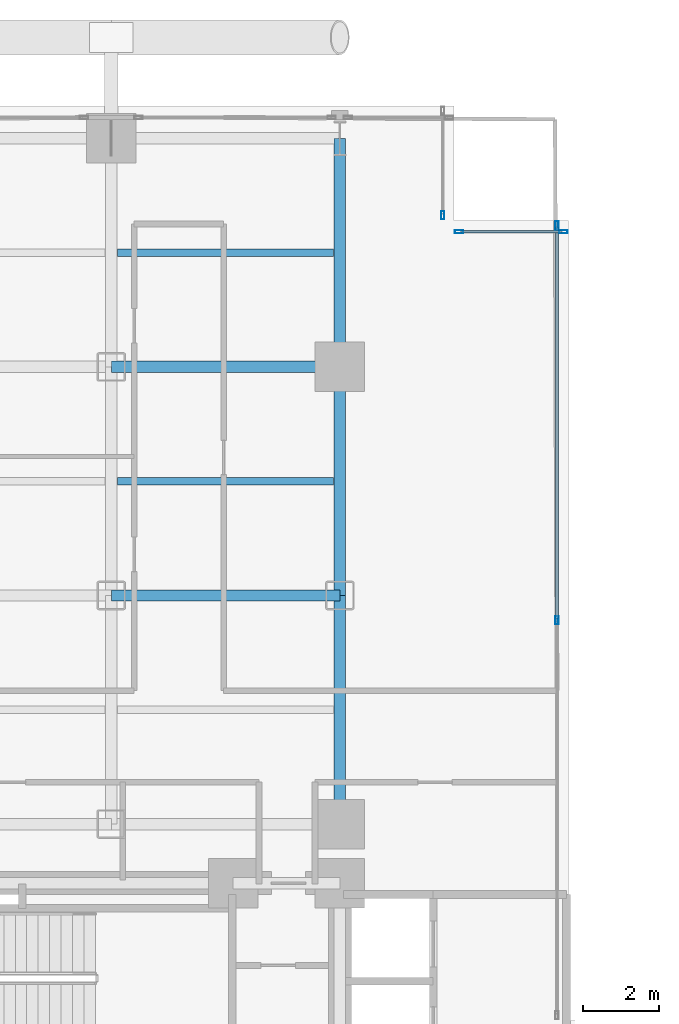
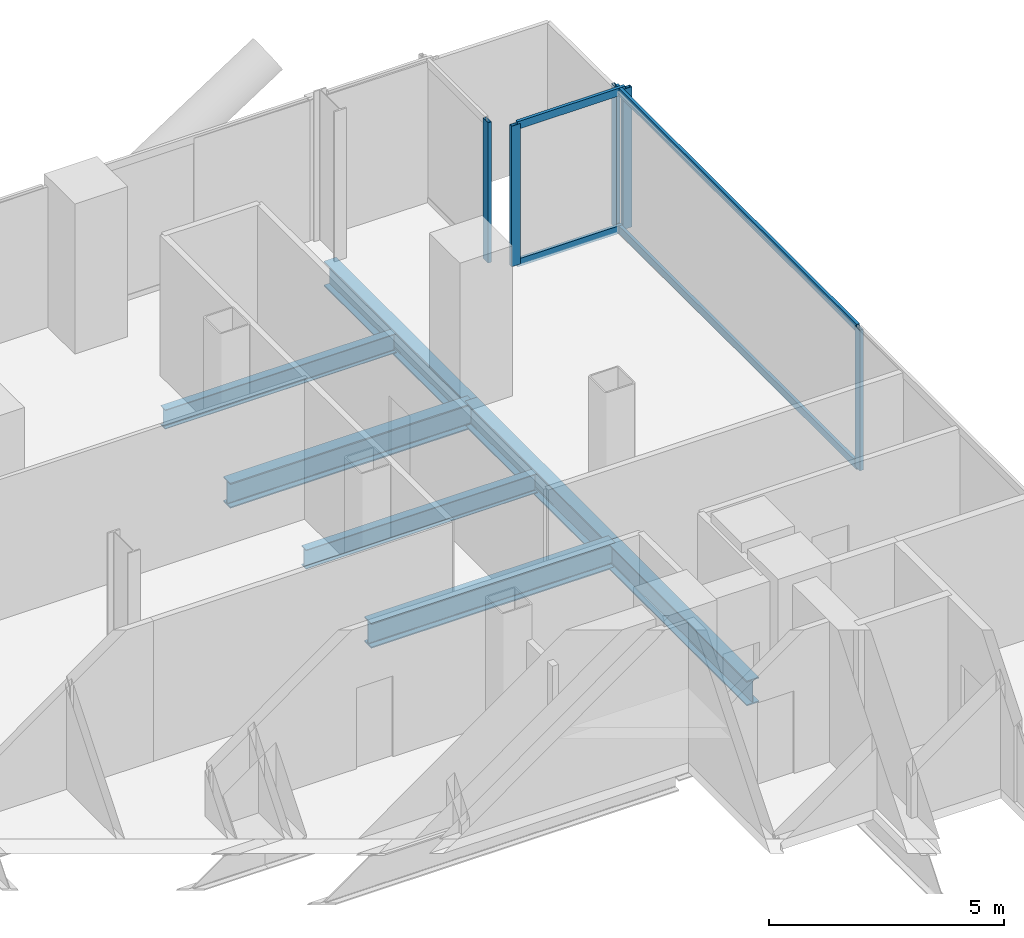
# One storey, part 15 of 25: 9 members, 7 beams, 3 elements without a shape of their own.
"""IFC4 building model written with IfcOpenShell, lengths in metres."""

from ifc_helpers import new_model, si_unit, direction, frame, origin, origin_2d, place, context, subcontext, project, spatial, hollow_rectangle, i_section, extrude, material, layer, layer_set, material_profile, profile_set, type_object, element, aggregate, save


model = new_model("IFC4")

# Units and contexts
model_context = context("Model", 3, precision=1e-05, world=origin(), true_north=direction((0.0, 1.0)))
body_context = subcontext(model_context, "Body", "Model", "MODEL_VIEW")
ifc_project = project(units=[si_unit("LENGTHUNIT", "METRE"), si_unit("AREAUNIT", "SQUARE_METRE"), si_unit("VOLUMEUNIT", "CUBIC_METRE"), si_unit("PLANEANGLEUNIT", "RADIAN"), si_unit("MASSUNIT", "GRAM", prefix="KILO"), si_unit("THERMODYNAMICTEMPERATUREUNIT", "KELVIN"), si_unit("POWERUNIT", "WATT")], contexts=[model_context])

# Site, building, storey
site_placement = place(None, origin())
site = spatial("IfcSite", under=ifc_project, at=site_placement, CompositionType="ELEMENT")
building_placement = place(site_placement, origin())
building = spatial("IfcBuilding", under=site, at=building_placement, Name="Svarakhadi Broadcast Tower", CompositionType="ELEMENT")
storey_placement = place(building_placement, frame((0.0, 0.0, 36.300048828125)))
storey = spatial("IfcBuildingStorey", under=building, at=storey_placement, Name="L07", CompositionType="ELEMENT", Elevation=36.300048828125)

# Beams
ifc_material_1 = material(Name="Steel S355J2 (IS 2062 E350C)", Category="steel")
ifc_material_profile_1 = material_profile(ifc_material_1, i_section(OverallWidth=0.199951171875, OverallDepth=0.5, WebThickness=0.01025390625, FlangeThickness=0.01611328125, FilletRadius=0.02099609375, at=origin_2d()), Name="NPB 500x200x91")
ifc_profile_set_1 = profile_set([ifc_material_profile_1], Name="Steel S355J2 (IS 2062 E350C)")
beam_type_1 = type_object("IfcBeamType", Name="Beam_NPB500", PredefinedType="BEAM", material=ifc_profile_set_1)
for number, where, z_axis, x_axis, name in (
    (1, (12.159912109375, 38.14990234375, -0.5), (1.0, 0.0, 0.0), (0.0, 1.0, 0.0), "L07 Secondary Composite Beam SB017"),
    (2, (12.159912109375, 44.14990234375, -0.5), (1.0, 0.0, 0.0), (0.0, 1.0, 0.0), "L07 Secondary Composite Beam SB018"),
):
    element("IfcBeam", number, at=place(storey_placement, frame(where, z_axis=z_axis, x_axis=x_axis)), inside=storey, type_object=beam_type_1, Name=name, PredefinedType="BEAM", context=body_context, shape_type="SweptSolid", body=[
        extrude(i_section(OverallWidth=0.199951171875, OverallDepth=0.5, WebThickness=0.01025390625, FlangeThickness=0.01611328125, FilletRadius=0.02099609375, at=origin_2d()), origin(), (0.0, 0.0, 1.0), 5.68017578125),
    ])

# Curtain wall, member
ifc_material_2 = material(Name="Anodised Bronze Aluminium AA 6063-T6", Category="aluminium")
ifc_layer = layer(ifc_material_2, 0.219970703125)
ifc_layer_set = layer_set([ifc_layer], Name="Anodised Bronze Aluminium AA 6063-T6")
curtain_wall_type = type_object("IfcCurtainWallType", Name="CW_Sys_02", PredefinedType="NOTDEFINED", material=ifc_layer_set)
curtain_wall_1_placement = place(storey_placement, origin())
curtain_wall_1 = element("IfcCurtainWall", 3, at=curtain_wall_1_placement, inside=storey, type_object=curtain_wall_type, Name="L07 Unitised Facade Curtain Wall 07", PredefinedType="NOTDEFINED")
ifc_material_profile_2 = material_profile(ifc_material_2, hollow_rectangle(XDim=0.0849609375, YDim=0.219970703125, WallThickness=0.006103515625, at=origin_2d()), Name="ALU MULLION 220x85x6")
ifc_profile_set_2 = profile_set([ifc_material_profile_2], Name="Anodised Bronze Aluminium AA 6063-T6")
member_type_1 = type_object("IfcMemberType", Name="CW_Sys_02_Mul", PredefinedType="MULLION", material=ifc_profile_set_2)
member_1_placement = place(storey_placement, frame((20.699951171875, 45.132568359375, 0.0), z_axis=(0.0, 0.0, 1.0), x_axis=(1.0, 0.0, 0.0)))
member_1 = element("IfcMember", 4, at=member_1_placement, type_object=member_type_1, Name="CW-02 mullion 2", PredefinedType="MULLION", context=body_context, shape_type="SweptSolid", body=[
    extrude(hollow_rectangle(XDim=0.0849609375, YDim=0.219970703125, WallThickness=0.006103515625, at=origin_2d()), origin(), (0.0, 0.0, 1.0), 3.64990234375),
])
aggregate(curtain_wall_1, [member_1])

# Curtain wall, members
curtain_wall_2_placement = place(storey_placement, origin())
curtain_wall_2 = element("IfcCurtainWall", 5, at=curtain_wall_2_placement, inside=storey, type_object=curtain_wall_type, Name="L07 Unitised Facade Curtain Wall 08", PredefinedType="NOTDEFINED")
member_2_placement = place(storey_placement, frame((21.132568359375, 44.699951171875, 0.0), z_axis=(0.0, 0.0, 1.0), x_axis=(0.0, 1.0, 0.0)))
member_2 = element("IfcMember", 6, at=member_2_placement, type_object=member_type_1, Name="CW-02 mullion 1", PredefinedType="MULLION", context=body_context, shape_type="SweptSolid", body=[
    extrude(hollow_rectangle(XDim=0.0849609375, YDim=0.219970703125, WallThickness=0.006103515625, at=origin_2d()), origin(), (0.0, 0.0, 1.0), 3.64990234375),
])
member_3_placement = place(storey_placement, frame((23.867431640625, 44.699951171875, 0.0), z_axis=(0.0, 0.0, 1.0), x_axis=(0.0, 1.0, 0.0)))
member_3 = element("IfcMember", 7, at=member_3_placement, type_object=member_type_1, Name="CW-02 mullion 2", PredefinedType="MULLION", context=body_context, shape_type="SweptSolid", body=[
    extrude(hollow_rectangle(XDim=0.0849609375, YDim=0.219970703125, WallThickness=0.006103515625, at=origin_2d()), origin(), (0.0, 0.0, 1.0), 3.64990234375),
])

curtain_wall_3_placement = place(storey_placement, origin())
curtain_wall_3 = element("IfcCurtainWall", 8, at=curtain_wall_3_placement, inside=storey, type_object=curtain_wall_type, Name="L07 Unitised Facade Curtain Wall 09", PredefinedType="NOTDEFINED")
member_4_placement = place(storey_placement, frame((23.699951171875, 44.867431640625, 0.0), z_axis=(0.0, 0.0, 1.0), x_axis=(1.0, 0.0, 0.0)))
member_4 = element("IfcMember", 9, at=member_4_placement, type_object=member_type_1, Name="CW-02 mullion 1", PredefinedType="MULLION", context=body_context, shape_type="SweptSolid", body=[
    extrude(hollow_rectangle(XDim=0.0849609375, YDim=0.219970703125, WallThickness=0.006103515625, at=origin_2d()), origin(), (0.0, 0.0, 1.0), 3.64990234375),
])
member_5_placement = place(storey_placement, frame((23.699951171875, 34.5, 0.0), z_axis=(0.0, 0.0, 1.0), x_axis=(1.0, 0.0, 0.0)))
member_5 = element("IfcMember", 10, at=member_5_placement, type_object=member_type_1, Name="CW-02 mullion 2", PredefinedType="MULLION", context=body_context, shape_type="SweptSolid", body=[
    extrude(hollow_rectangle(XDim=0.0849609375, YDim=0.219970703125, WallThickness=0.006103515625, at=origin_2d()), origin(), (0.0, 0.0, 1.0), 3.64990234375),
])

# Member
ifc_material_profile_3 = material_profile(ifc_material_2, hollow_rectangle(XDim=0.074951171875, YDim=0.199951171875, WallThickness=0.0048828125, at=origin_2d()), Name="ALU TRANSOM 200x75x5")
ifc_profile_set_3 = profile_set([ifc_material_profile_3], Name="Anodised Bronze Aluminium AA 6063-T6")
member_type_2 = type_object("IfcMemberType", Name="CW_Sys_02_Trn", PredefinedType="USERDEFINED", material=ifc_profile_set_3)
member_6_placement = place(storey_placement, frame((21.175048828125, 44.699951171875, 0.037353515625), z_axis=(1.0, 0.0, 0.0), x_axis=(0.0, 1.0, 0.0)))
member_6 = element("IfcMember", 11, at=member_6_placement, type_object=member_type_2, Name="CW-02 transom 1.1", ObjectType="TRANSOM", PredefinedType="USERDEFINED", context=body_context, shape_type="SweptSolid", body=[
    extrude(hollow_rectangle(XDim=0.074951171875, YDim=0.199951171875, WallThickness=0.0048828125, at=origin_2d()), origin(), (0.0, 0.0, 1.0), 2.64990234375),
])

member_7_placement = place(storey_placement, frame((21.175048828125, 44.699951171875, 3.612548828125), z_axis=(1.0, 0.0, 0.0), x_axis=(0.0, 1.0, 0.0)))
member_7 = element("IfcMember", 12, at=member_7_placement, type_object=member_type_2, Name="CW-02 transom 1.2", ObjectType="TRANSOM", PredefinedType="USERDEFINED", context=body_context, shape_type="SweptSolid", body=[
    extrude(hollow_rectangle(XDim=0.074951171875, YDim=0.199951171875, WallThickness=0.0048828125, at=origin_2d()), origin(), (0.0, 0.0, 1.0), 2.64990234375),
])

aggregate(curtain_wall_2, [member_2, member_3, member_6, member_7])

member_8_placement = place(storey_placement, frame((23.699951171875, 44.824951171875, 0.037353515625), z_axis=(0.0, -1.0, 0.0), x_axis=(1.0, 0.0, 0.0)))
member_8 = element("IfcMember", 13, at=member_8_placement, type_object=member_type_2, Name="CW-02 transom 1.1", ObjectType="TRANSOM", PredefinedType="USERDEFINED", context=body_context, shape_type="SweptSolid", body=[
    extrude(hollow_rectangle(XDim=0.074951171875, YDim=0.199951171875, WallThickness=0.0048828125, at=origin_2d()), origin(), (0.0, 0.0, 1.0), 10.282470703125),
])

member_9_placement = place(storey_placement, frame((23.699951171875, 44.824951171875, 3.612548828125), z_axis=(0.0, -1.0, 0.0), x_axis=(1.0, 0.0, 0.0)))
member_9 = element("IfcMember", 14, at=member_9_placement, type_object=member_type_2, Name="CW-02 transom 1.2", ObjectType="TRANSOM", PredefinedType="USERDEFINED", context=body_context, shape_type="SweptSolid", body=[
    extrude(hollow_rectangle(XDim=0.074951171875, YDim=0.199951171875, WallThickness=0.0048828125, at=origin_2d()), origin(), (0.0, 0.0, 1.0), 10.282470703125),
])

aggregate(curtain_wall_3, [member_4, member_5, member_8, member_9])

# Beams
ifc_material_profile_4 = material_profile(ifc_material_1, i_section(OverallWidth=0.300048828125, OverallDepth=0.64990234375, WebThickness=0.01611328125, FlangeThickness=0.031005859375, FilletRadius=0.027099609375, at=origin_2d()), Name="WPB 650x300x225")
ifc_profile_set_4 = profile_set([ifc_material_profile_4], Name="Steel S355J2 (IS 2062 E350C)")
beam_type_2 = type_object("IfcBeamType", Name="Girder_WPB650", PredefinedType="USERDEFINED", material=ifc_profile_set_4)
for number, where, z_axis, x_axis, name in (
    (15, (12.0, 35.14990234375, -0.574951171875), (1.0, 0.0, 0.0), (0.0, 1.0, 0.0), "L07 Primary E-W Girder G039"),
    (16, (12.0, 41.14990234375, -0.574951171875), (1.0, 0.0, 0.0), (0.0, 1.0, 0.0), "L07 Primary E-W Girder G042"),
    (17, (18.0, 29.14990234375, -0.574951171875), (0.0, 1.0, 0.0), (-1.0, 0.0, 0.0), "L07 Primary N-S Girder G068"),
    (18, (18.0, 35.14990234375, -0.574951171875), (0.0, 1.0, 0.0), (-1.0, 0.0, 0.0), "L07 Primary N-S Girder G069"),
    (19, (18.0, 41.14990234375, -0.574951171875), (0.0, 1.0, 0.0), (-1.0, 0.0, 0.0), "L07 Primary N-S Girder G070"),
):
    element("IfcBeam", number, at=place(storey_placement, frame(where, z_axis=z_axis, x_axis=x_axis)), inside=storey, type_object=beam_type_2, Name=name, ObjectType="GIRDER", PredefinedType="USERDEFINED", context=body_context, shape_type="SweptSolid", body=[
        extrude(i_section(OverallWidth=0.300048828125, OverallDepth=0.64990234375, WebThickness=0.01611328125, FlangeThickness=0.031005859375, FilletRadius=0.027099609375, at=origin_2d()), origin(), (0.0, 0.0, 1.0), 6.0),
    ])

save(model, "model.ifc")
